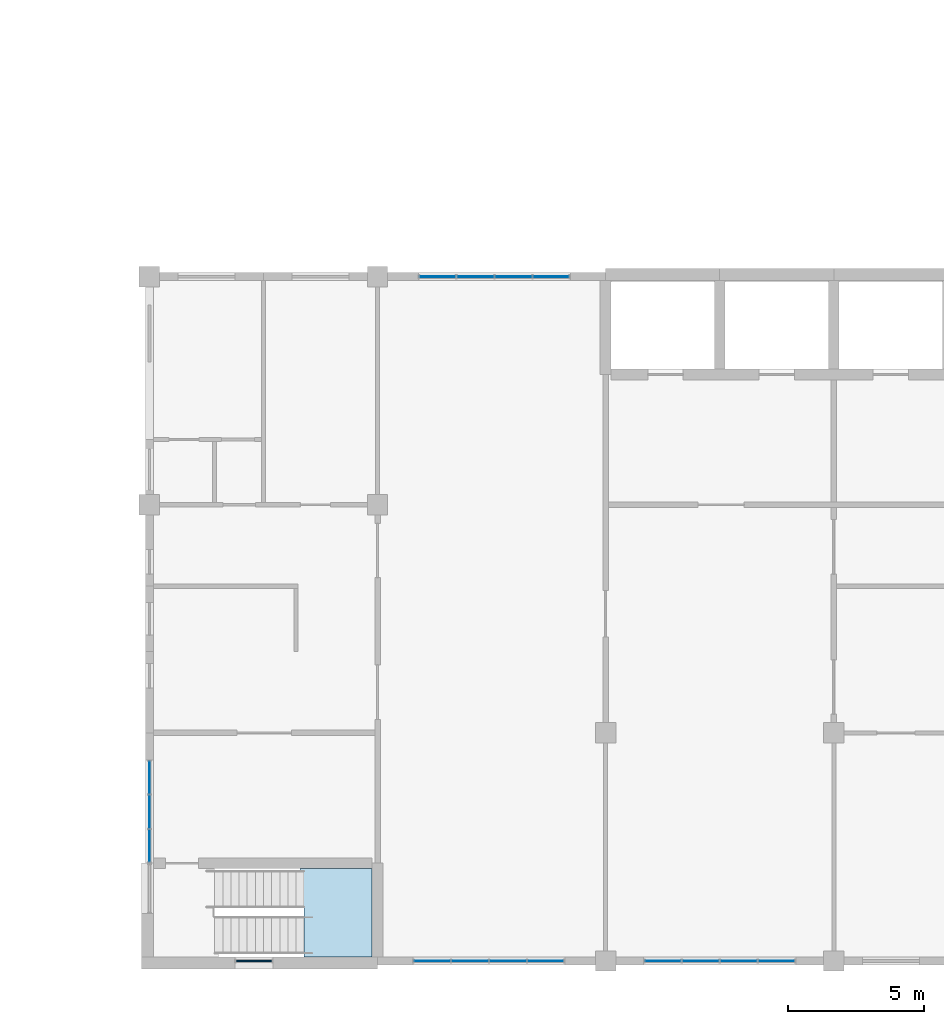
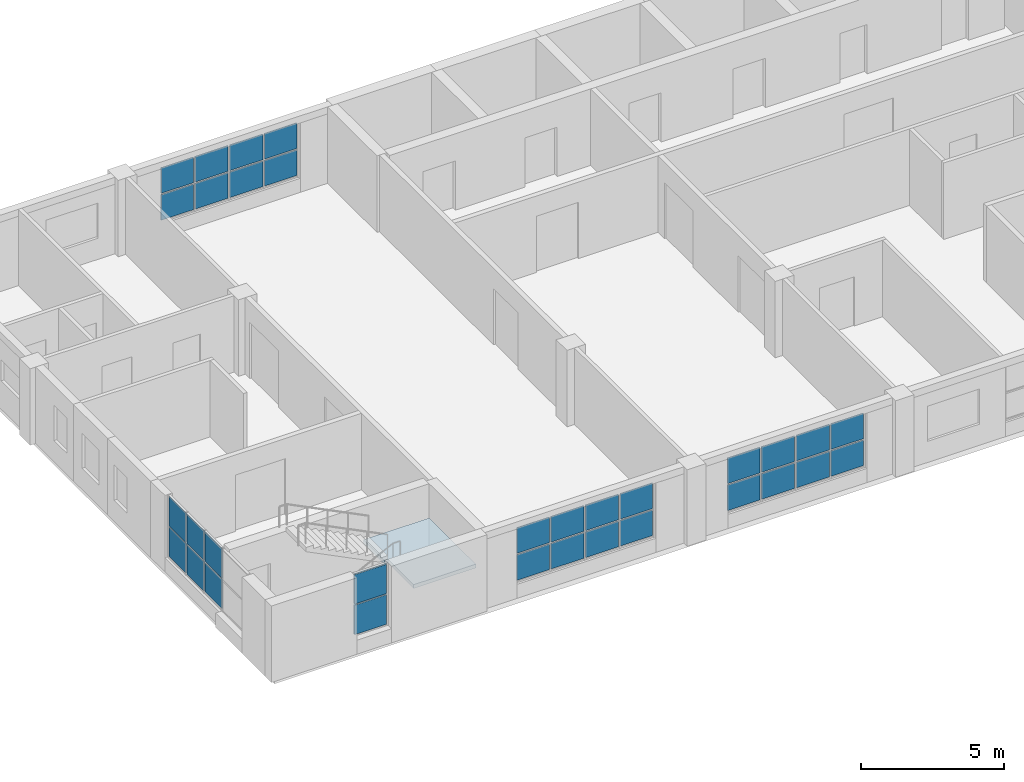
# One storey, part 20 of 45: 32 plates, 1 slab, 6 elements without a shape of their own.
"""IFC4 building model written with IfcOpenShell, lengths in metres."""

from ifc_helpers import new_model, si_unit, direction, frame, origin, origin_2d, place, context, subcontext, project, spatial, polyline, rectangle, outline, extrude, material, layer, layer_set, type_object, element, aggregate, save


model = new_model("IFC4")

# Units and contexts
model_context = context("Model", 3, precision=1e-05, world=origin(), true_north=direction((0.0, 1.0)))
body_context = subcontext(model_context, "Body", "Model", "MODEL_VIEW")
ifc_project = project(units=[si_unit("LENGTHUNIT", "METRE"), si_unit("AREAUNIT", "SQUARE_METRE"), si_unit("VOLUMEUNIT", "CUBIC_METRE"), si_unit("PLANEANGLEUNIT", "RADIAN"), si_unit("MASSUNIT", "GRAM", prefix="KILO")], contexts=[model_context])

# Site, building, storey
site_placement = place(None, origin())
site = spatial("IfcSite", under=ifc_project, at=site_placement, CompositionType="ELEMENT")
building_placement = place(site_placement, origin())
building = spatial("IfcBuilding", under=site, at=building_placement, Name="Yavir Park General Hospital", CompositionType="ELEMENT")
storey_placement = place(building_placement, frame((0.0, 0.0, 22.5)))
storey = spatial("IfcBuildingStorey", under=building, at=storey_placement, Name="L05", CompositionType="ELEMENT", Elevation=22.5)

# Curtain wall, plates
ifc_material_1 = material(Name="Aluminium curtain wall frame with insulated glazing", Category="aluminium")
curtain_wall_type_1 = type_object("IfcCurtainWallType", Name="Day room pocket glazing, ward floors, 2360 high, 1400 module", PredefinedType="NOTDEFINED", material=ifc_material_1)
curtain_wall_1_placement = place(storey_placement, origin())
curtain_wall_1 = element("IfcCurtainWall", 1, at=curtain_wall_1_placement, inside=storey, type_object=curtain_wall_type_1, Name="CW6 L05-005", PredefinedType="NOTDEFINED")
ifc_material_2 = material(Name="Insulated glazed unit 30 mm, low-e coating")
ifc_layer_1 = layer(ifc_material_2, 0.030029296875)
ifc_layer_set_1 = layer_set([ifc_layer_1], Name="Insulated glazed unit 30 mm, low-e coating")
plate_type_1 = type_object("IfcPlateType", Name="Day room pocket glazing, ward floors, 2360 high panel 30", PredefinedType="CURTAIN_PANEL", material=ifc_layer_set_1)
plate_1_placement = place(storey_placement, frame((111.215087890625, 0.0, 0.66015625), z_axis=(0.0, 0.0, 1.0), x_axis=(1.0, 0.0, 0.0)))
plate_1 = element("IfcPlate", 2, at=plate_1_placement, type_object=plate_type_1, Name="CW6 panel 1.1", PredefinedType="CURTAIN_PANEL", context=body_context, shape_type="SweptSolid", body=[
    extrude(rectangle(XDim=1.31005859375, YDim=0.030029296875, at=origin_2d()), origin(), (0.0, 0.0, 1.0), 1.090087890625),
])
plate_2_placement = place(storey_placement, frame((111.215087890625, 0.0, 1.81005859375), z_axis=(0.0, 0.0, 1.0), x_axis=(1.0, 0.0, 0.0)))
plate_2 = element("IfcPlate", 3, at=plate_2_placement, type_object=plate_type_1, Name="CW6 panel 1.2", PredefinedType="CURTAIN_PANEL", context=body_context, shape_type="SweptSolid", body=[
    extrude(rectangle(XDim=1.31005859375, YDim=0.030029296875, at=origin_2d()), origin(), (0.0, 0.0, 1.0), 1.090087890625),
])
plate_3_placement = place(storey_placement, frame((112.60009765625, 0.0, 0.66015625), z_axis=(0.0, 0.0, 1.0), x_axis=(1.0, 0.0, 0.0)))
plate_3 = element("IfcPlate", 4, at=plate_3_placement, type_object=plate_type_1, Name="CW6 panel 2.1", PredefinedType="CURTAIN_PANEL", context=body_context, shape_type="SweptSolid", body=[
    extrude(rectangle(XDim=1.340087890625, YDim=0.030029296875, at=origin_2d()), origin(), (0.0, 0.0, 1.0), 1.090087890625),
])
plate_4_placement = place(storey_placement, frame((112.60009765625, 0.0, 1.81005859375), z_axis=(0.0, 0.0, 1.0), x_axis=(1.0, 0.0, 0.0)))
plate_4 = element("IfcPlate", 5, at=plate_4_placement, type_object=plate_type_1, Name="CW6 panel 2.2", PredefinedType="CURTAIN_PANEL", context=body_context, shape_type="SweptSolid", body=[
    extrude(rectangle(XDim=1.340087890625, YDim=0.030029296875, at=origin_2d()), origin(), (0.0, 0.0, 1.0), 1.090087890625),
])
plate_5_placement = place(storey_placement, frame((114.0, 0.0, 0.66015625), z_axis=(0.0, 0.0, 1.0), x_axis=(1.0, 0.0, 0.0)))
plate_5 = element("IfcPlate", 6, at=plate_5_placement, type_object=plate_type_1, Name="CW6 panel 3.1", PredefinedType="CURTAIN_PANEL", context=body_context, shape_type="SweptSolid", body=[
    extrude(rectangle(XDim=1.340087890625, YDim=0.030029296875, at=origin_2d()), origin(), (0.0, 0.0, 1.0), 1.090087890625),
])
plate_6_placement = place(storey_placement, frame((114.0, 0.0, 1.81005859375), z_axis=(0.0, 0.0, 1.0), x_axis=(1.0, 0.0, 0.0)))
plate_6 = element("IfcPlate", 7, at=plate_6_placement, type_object=plate_type_1, Name="CW6 panel 3.2", PredefinedType="CURTAIN_PANEL", context=body_context, shape_type="SweptSolid", body=[
    extrude(rectangle(XDim=1.340087890625, YDim=0.030029296875, at=origin_2d()), origin(), (0.0, 0.0, 1.0), 1.090087890625),
])
plate_7_placement = place(storey_placement, frame((115.385009765625, 0.0, 0.66015625), z_axis=(0.0, 0.0, 1.0), x_axis=(1.0, 0.0, 0.0)))
plate_7 = element("IfcPlate", 8, at=plate_7_placement, type_object=plate_type_1, Name="CW6 panel 4.1", PredefinedType="CURTAIN_PANEL", context=body_context, shape_type="SweptSolid", body=[
    extrude(rectangle(XDim=1.31005859375, YDim=0.030029296875, at=origin_2d()), origin(), (0.0, 0.0, 1.0), 1.090087890625),
])
plate_8_placement = place(storey_placement, frame((115.385009765625, 0.0, 1.81005859375), z_axis=(0.0, 0.0, 1.0), x_axis=(1.0, 0.0, 0.0)))
plate_8 = element("IfcPlate", 9, at=plate_8_placement, type_object=plate_type_1, Name="CW6 panel 4.2", PredefinedType="CURTAIN_PANEL", context=body_context, shape_type="SweptSolid", body=[
    extrude(rectangle(XDim=1.31005859375, YDim=0.030029296875, at=origin_2d()), origin(), (0.0, 0.0, 1.0), 1.090087890625),
])
aggregate(curtain_wall_1, [plate_1, plate_2, plate_3, plate_4, plate_5, plate_6, plate_7, plate_8])

curtain_wall_2_placement = place(storey_placement, origin())
curtain_wall_2 = element("IfcCurtainWall", 10, at=curtain_wall_2_placement, inside=storey, type_object=curtain_wall_type_1, Name="CW6 L05-006", PredefinedType="NOTDEFINED")
plate_9_placement = place(storey_placement, frame((119.715087890625, 0.0, 0.66015625), z_axis=(0.0, 0.0, 1.0), x_axis=(1.0, 0.0, 0.0)))
plate_9 = element("IfcPlate", 11, at=plate_9_placement, type_object=plate_type_1, Name="CW6 panel 1.1", PredefinedType="CURTAIN_PANEL", context=body_context, shape_type="SweptSolid", body=[
    extrude(rectangle(XDim=1.31005859375, YDim=0.030029296875, at=origin_2d()), origin(), (0.0, 0.0, 1.0), 1.090087890625),
])
plate_10_placement = place(storey_placement, frame((119.715087890625, 0.0, 1.81005859375), z_axis=(0.0, 0.0, 1.0), x_axis=(1.0, 0.0, 0.0)))
plate_10 = element("IfcPlate", 12, at=plate_10_placement, type_object=plate_type_1, Name="CW6 panel 1.2", PredefinedType="CURTAIN_PANEL", context=body_context, shape_type="SweptSolid", body=[
    extrude(rectangle(XDim=1.31005859375, YDim=0.030029296875, at=origin_2d()), origin(), (0.0, 0.0, 1.0), 1.090087890625),
])
plate_11_placement = place(storey_placement, frame((121.10009765625, 0.0, 0.66015625), z_axis=(0.0, 0.0, 1.0), x_axis=(1.0, 0.0, 0.0)))
plate_11 = element("IfcPlate", 13, at=plate_11_placement, type_object=plate_type_1, Name="CW6 panel 2.1", PredefinedType="CURTAIN_PANEL", context=body_context, shape_type="SweptSolid", body=[
    extrude(rectangle(XDim=1.340087890625, YDim=0.030029296875, at=origin_2d()), origin(), (0.0, 0.0, 1.0), 1.090087890625),
])
plate_12_placement = place(storey_placement, frame((121.10009765625, 0.0, 1.81005859375), z_axis=(0.0, 0.0, 1.0), x_axis=(1.0, 0.0, 0.0)))
plate_12 = element("IfcPlate", 14, at=plate_12_placement, type_object=plate_type_1, Name="CW6 panel 2.2", PredefinedType="CURTAIN_PANEL", context=body_context, shape_type="SweptSolid", body=[
    extrude(rectangle(XDim=1.340087890625, YDim=0.030029296875, at=origin_2d()), origin(), (0.0, 0.0, 1.0), 1.090087890625),
])
plate_13_placement = place(storey_placement, frame((122.5, 0.0, 0.66015625), z_axis=(0.0, 0.0, 1.0), x_axis=(1.0, 0.0, 0.0)))
plate_13 = element("IfcPlate", 15, at=plate_13_placement, type_object=plate_type_1, Name="CW6 panel 3.1", PredefinedType="CURTAIN_PANEL", context=body_context, shape_type="SweptSolid", body=[
    extrude(rectangle(XDim=1.340087890625, YDim=0.030029296875, at=origin_2d()), origin(), (0.0, 0.0, 1.0), 1.090087890625),
])
plate_14_placement = place(storey_placement, frame((122.5, 0.0, 1.81005859375), z_axis=(0.0, 0.0, 1.0), x_axis=(1.0, 0.0, 0.0)))
plate_14 = element("IfcPlate", 16, at=plate_14_placement, type_object=plate_type_1, Name="CW6 panel 3.2", PredefinedType="CURTAIN_PANEL", context=body_context, shape_type="SweptSolid", body=[
    extrude(rectangle(XDim=1.340087890625, YDim=0.030029296875, at=origin_2d()), origin(), (0.0, 0.0, 1.0), 1.090087890625),
])
plate_15_placement = place(storey_placement, frame((123.885009765625, 0.0, 0.66015625), z_axis=(0.0, 0.0, 1.0), x_axis=(1.0, 0.0, 0.0)))
plate_15 = element("IfcPlate", 17, at=plate_15_placement, type_object=plate_type_1, Name="CW6 panel 4.1", PredefinedType="CURTAIN_PANEL", context=body_context, shape_type="SweptSolid", body=[
    extrude(rectangle(XDim=1.31005859375, YDim=0.030029296875, at=origin_2d()), origin(), (0.0, 0.0, 1.0), 1.090087890625),
])
plate_16_placement = place(storey_placement, frame((123.885009765625, 0.0, 1.81005859375), z_axis=(0.0, 0.0, 1.0), x_axis=(1.0, 0.0, 0.0)))
plate_16 = element("IfcPlate", 18, at=plate_16_placement, type_object=plate_type_1, Name="CW6 panel 4.2", PredefinedType="CURTAIN_PANEL", context=body_context, shape_type="SweptSolid", body=[
    extrude(rectangle(XDim=1.31005859375, YDim=0.030029296875, at=origin_2d()), origin(), (0.0, 0.0, 1.0), 1.090087890625),
])
aggregate(curtain_wall_2, [plate_9, plate_10, plate_11, plate_12, plate_13, plate_14, plate_15, plate_16])

curtain_wall_3_placement = place(storey_placement, origin())
curtain_wall_3 = element("IfcCurtainWall", 19, at=curtain_wall_3_placement, inside=storey, type_object=curtain_wall_type_1, Name="CW6 L05-011", PredefinedType="NOTDEFINED")
plate_17_placement = place(storey_placement, frame((111.4150390625, 25.199951171875, 0.66015625), z_axis=(0.0, 0.0, 1.0), x_axis=(1.0, 0.0, 0.0)))
plate_17 = element("IfcPlate", 20, at=plate_17_placement, type_object=plate_type_1, Name="CW6 panel 1.1", PredefinedType="CURTAIN_PANEL", context=body_context, shape_type="SweptSolid", body=[
    extrude(rectangle(XDim=1.31005859375, YDim=0.030029296875, at=origin_2d()), origin(), (0.0, 0.0, 1.0), 1.090087890625),
])
plate_18_placement = place(storey_placement, frame((111.4150390625, 25.199951171875, 1.81005859375), z_axis=(0.0, 0.0, 1.0), x_axis=(1.0, 0.0, 0.0)))
plate_18 = element("IfcPlate", 21, at=plate_18_placement, type_object=plate_type_1, Name="CW6 panel 1.2", PredefinedType="CURTAIN_PANEL", context=body_context, shape_type="SweptSolid", body=[
    extrude(rectangle(XDim=1.31005859375, YDim=0.030029296875, at=origin_2d()), origin(), (0.0, 0.0, 1.0), 1.090087890625),
])
plate_19_placement = place(storey_placement, frame((112.800048828125, 25.199951171875, 0.66015625), z_axis=(0.0, 0.0, 1.0), x_axis=(1.0, 0.0, 0.0)))
plate_19 = element("IfcPlate", 22, at=plate_19_placement, type_object=plate_type_1, Name="CW6 panel 2.1", PredefinedType="CURTAIN_PANEL", context=body_context, shape_type="SweptSolid", body=[
    extrude(rectangle(XDim=1.340087890625, YDim=0.030029296875, at=origin_2d()), origin(), (0.0, 0.0, 1.0), 1.090087890625),
])
plate_20_placement = place(storey_placement, frame((112.800048828125, 25.199951171875, 1.81005859375), z_axis=(0.0, 0.0, 1.0), x_axis=(1.0, 0.0, 0.0)))
plate_20 = element("IfcPlate", 23, at=plate_20_placement, type_object=plate_type_1, Name="CW6 panel 2.2", PredefinedType="CURTAIN_PANEL", context=body_context, shape_type="SweptSolid", body=[
    extrude(rectangle(XDim=1.340087890625, YDim=0.030029296875, at=origin_2d()), origin(), (0.0, 0.0, 1.0), 1.090087890625),
])
plate_21_placement = place(storey_placement, frame((114.199951171875, 25.199951171875, 0.66015625), z_axis=(0.0, 0.0, 1.0), x_axis=(1.0, 0.0, 0.0)))
plate_21 = element("IfcPlate", 24, at=plate_21_placement, type_object=plate_type_1, Name="CW6 panel 3.1", PredefinedType="CURTAIN_PANEL", context=body_context, shape_type="SweptSolid", body=[
    extrude(rectangle(XDim=1.340087890625, YDim=0.030029296875, at=origin_2d()), origin(), (0.0, 0.0, 1.0), 1.090087890625),
])
plate_22_placement = place(storey_placement, frame((114.199951171875, 25.199951171875, 1.81005859375), z_axis=(0.0, 0.0, 1.0), x_axis=(1.0, 0.0, 0.0)))
plate_22 = element("IfcPlate", 25, at=plate_22_placement, type_object=plate_type_1, Name="CW6 panel 3.2", PredefinedType="CURTAIN_PANEL", context=body_context, shape_type="SweptSolid", body=[
    extrude(rectangle(XDim=1.340087890625, YDim=0.030029296875, at=origin_2d()), origin(), (0.0, 0.0, 1.0), 1.090087890625),
])
plate_23_placement = place(storey_placement, frame((115.5849609375, 25.199951171875, 0.66015625), z_axis=(0.0, 0.0, 1.0), x_axis=(1.0, 0.0, 0.0)))
plate_23 = element("IfcPlate", 26, at=plate_23_placement, type_object=plate_type_1, Name="CW6 panel 4.1", PredefinedType="CURTAIN_PANEL", context=body_context, shape_type="SweptSolid", body=[
    extrude(rectangle(XDim=1.31005859375, YDim=0.030029296875, at=origin_2d()), origin(), (0.0, 0.0, 1.0), 1.090087890625),
])
plate_24_placement = place(storey_placement, frame((115.5849609375, 25.199951171875, 1.81005859375), z_axis=(0.0, 0.0, 1.0), x_axis=(1.0, 0.0, 0.0)))
plate_24 = element("IfcPlate", 27, at=plate_24_placement, type_object=plate_type_1, Name="CW6 panel 4.2", PredefinedType="CURTAIN_PANEL", context=body_context, shape_type="SweptSolid", body=[
    extrude(rectangle(XDim=1.31005859375, YDim=0.030029296875, at=origin_2d()), origin(), (0.0, 0.0, 1.0), 1.090087890625),
])
aggregate(curtain_wall_3, [plate_17, plate_18, plate_19, plate_20, plate_21, plate_22, plate_23, plate_24])

# Stair, slab
ifc_material_3 = material(Name="Concrete C30/37", Category="concrete")
stair_type = type_object("IfcStairType", Name="Patient escape stair, 24 risers of 150 mm, 1400 mm flights", PredefinedType="HALF_TURN_STAIR", material=ifc_material_3)
stair_placement = place(storey_placement, origin())
stair = element("IfcStair", 28, at=stair_placement, inside=storey, type_object=stair_type, Name="Stair SU4, L05 to L06", PredefinedType="HALF_TURN_STAIR")
ifc_material_4 = material(Name="Concrete C30/37", Category="concrete")
ifc_layer_2 = layer(ifc_material_4, 0.159912109375)
ifc_layer_set_2 = layer_set([ifc_layer_2], Name="Concrete C30/37")
slab_type = type_object("IfcSlabType", Name="Patient escape stair half landing, reinforced concrete 160 mm", PredefinedType="LANDING", material=ifc_layer_set_2)
slab_placement = place(storey_placement, frame((0.0, 0.0, 1.639892578125)))
slab = element("IfcSlab", 29, at=slab_placement, type_object=slab_type, Name="SU4 landing 1", PredefinedType="LANDING", context=body_context, shape_type="SweptSolid", body=[
    extrude(outline(polyline([(106.49853515625, 0.14990234375), (109.0, 0.14990234375), (109.0, 3.39990234375), (106.35009765625, 3.39990234375), (106.35009765625, 1.949951171875), (106.49853515625, 1.949951171875), (106.49853515625, 0.14990234375)])), origin(), (0.0, 0.0, 1.0), 0.16015625),
])
aggregate(stair, [slab])

# Curtain wall, plates
ifc_material_5 = material(Name="Aluminium curtain wall frame with insulated glazing", Category="aluminium")
curtain_wall_type_2 = type_object("IfcCurtainWallType", Name="Stair light slot, ward floors, 2660 high, 1400 module", PredefinedType="NOTDEFINED", material=ifc_material_5)
curtain_wall_4_placement = place(storey_placement, origin())
curtain_wall_4 = element("IfcCurtainWall", 30, at=curtain_wall_4_placement, inside=storey, type_object=curtain_wall_type_2, Name="CW10 L05-004", PredefinedType="NOTDEFINED")
ifc_material_6 = material(Name="Fire-resisting glazed unit 70 mm")
ifc_layer_3 = layer(ifc_material_6, 0.070068359375)
ifc_layer_set_3 = layer_set([ifc_layer_3], Name="Fire-resisting glazed unit 70 mm")
plate_type_2 = type_object("IfcPlateType", Name="Stair light slot, ward floors, 2660 high panel 70", PredefinedType="CURTAIN_PANEL", material=ifc_layer_set_3)
plate_25_placement = place(storey_placement, frame((104.64990234375, 0.0, 0.650146484375), z_axis=(0.0, 0.0, 1.0), x_axis=(1.0, 0.0, 0.0)))
plate_25 = element("IfcPlate", 31, at=plate_25_placement, type_object=plate_type_2, Name="CW10 panel 1.1", PredefinedType="CURTAIN_PANEL", context=body_context, shape_type="SweptSolid", body=[
    extrude(rectangle(XDim=1.300048828125, YDim=0.070068359375, at=origin_2d()), origin(), (0.0, 0.0, 1.0), 1.2548828125),
])
plate_26_placement = place(storey_placement, frame((104.64990234375, 0.0, 1.955078125), z_axis=(0.0, 0.0, 1.0), x_axis=(1.0, 0.0, 0.0)))
plate_26 = element("IfcPlate", 32, at=plate_26_placement, type_object=plate_type_2, Name="CW10 panel 1.2", PredefinedType="CURTAIN_PANEL", context=body_context, shape_type="SweptSolid", body=[
    extrude(rectangle(XDim=1.300048828125, YDim=0.070068359375, at=origin_2d()), origin(), (0.0, 0.0, 1.0), 1.2548828125),
])
aggregate(curtain_wall_4, [plate_25, plate_26])

ifc_material_7 = material(Name="Aluminium curtain wall frame with insulated glazing", Category="aluminium")
curtain_wall_type_3 = type_object("IfcCurtainWallType", Name="Ward corridor end glazing, 2660 high, 1400 module", PredefinedType="NOTDEFINED", material=ifc_material_7)
curtain_wall_5_placement = place(storey_placement, origin())
curtain_wall_5 = element("IfcCurtainWall", 33, at=curtain_wall_5_placement, inside=storey, type_object=curtain_wall_type_3, Name="CW15 L05-029", PredefinedType="NOTDEFINED")
ifc_material_8 = material(Name="Insulated glazed unit 30 mm, low-e coating")
ifc_layer_4 = layer(ifc_material_8, 0.030029296875)
ifc_layer_set_4 = layer_set([ifc_layer_4], Name="Insulated glazed unit 30 mm, low-e coating")
plate_type_3 = type_object("IfcPlateType", Name="Ward corridor end glazing, 2660 high panel 30", PredefinedType="CURTAIN_PANEL", material=ifc_layer_set_4)
plate_27_placement = place(storey_placement, frame((100.800048828125, 4.245849609375, 0.650146484375), z_axis=(0.0, 0.0, 1.0), x_axis=(0.0, 1.0, 0.0)))
plate_27 = element("IfcPlate", 34, at=plate_27_placement, type_object=plate_type_3, Name="CW15 panel 1.1", PredefinedType="CURTAIN_PANEL", context=body_context, shape_type="SweptSolid", body=[
    extrude(rectangle(XDim=1.191650390625, YDim=0.030029296875, at=origin_2d()), origin(), (0.0, 0.0, 1.0), 1.2548828125),
])
plate_28_placement = place(storey_placement, frame((100.800048828125, 4.245849609375, 1.955078125), z_axis=(0.0, 0.0, 1.0), x_axis=(0.0, 1.0, 0.0)))
plate_28 = element("IfcPlate", 35, at=plate_28_placement, type_object=plate_type_3, Name="CW15 panel 1.2", PredefinedType="CURTAIN_PANEL", context=body_context, shape_type="SweptSolid", body=[
    extrude(rectangle(XDim=1.191650390625, YDim=0.030029296875, at=origin_2d()), origin(), (0.0, 0.0, 1.0), 1.2548828125),
])
plate_29_placement = place(storey_placement, frame((100.800048828125, 5.5, 0.650146484375), z_axis=(0.0, 0.0, 1.0), x_axis=(0.0, 1.0, 0.0)))
plate_29 = element("IfcPlate", 36, at=plate_29_placement, type_object=plate_type_3, Name="CW15 panel 2.1", PredefinedType="CURTAIN_PANEL", context=body_context, shape_type="SweptSolid", body=[
    extrude(rectangle(XDim=1.216552734375, YDim=0.030029296875, at=origin_2d()), origin(), (0.0, 0.0, 1.0), 1.2548828125),
])
plate_30_placement = place(storey_placement, frame((100.800048828125, 5.5, 1.955078125), z_axis=(0.0, 0.0, 1.0), x_axis=(0.0, 1.0, 0.0)))
plate_30 = element("IfcPlate", 37, at=plate_30_placement, type_object=plate_type_3, Name="CW15 panel 2.2", PredefinedType="CURTAIN_PANEL", context=body_context, shape_type="SweptSolid", body=[
    extrude(rectangle(XDim=1.216552734375, YDim=0.030029296875, at=origin_2d()), origin(), (0.0, 0.0, 1.0), 1.2548828125),
])
plate_31_placement = place(storey_placement, frame((100.800048828125, 6.754150390625, 0.650146484375), z_axis=(0.0, 0.0, 1.0), x_axis=(0.0, 1.0, 0.0)))
plate_31 = element("IfcPlate", 38, at=plate_31_placement, type_object=plate_type_3, Name="CW15 panel 3.1", PredefinedType="CURTAIN_PANEL", context=body_context, shape_type="SweptSolid", body=[
    extrude(rectangle(XDim=1.191650390625, YDim=0.030029296875, at=origin_2d()), origin(), (0.0, 0.0, 1.0), 1.2548828125),
])
plate_32_placement = place(storey_placement, frame((100.800048828125, 6.754150390625, 1.955078125), z_axis=(0.0, 0.0, 1.0), x_axis=(0.0, 1.0, 0.0)))
plate_32 = element("IfcPlate", 39, at=plate_32_placement, type_object=plate_type_3, Name="CW15 panel 3.2", PredefinedType="CURTAIN_PANEL", context=body_context, shape_type="SweptSolid", body=[
    extrude(rectangle(XDim=1.191650390625, YDim=0.030029296875, at=origin_2d()), origin(), (0.0, 0.0, 1.0), 1.2548828125),
])
aggregate(curtain_wall_5, [plate_27, plate_28, plate_29, plate_30, plate_31, plate_32])

save(model, "model.ifc")
